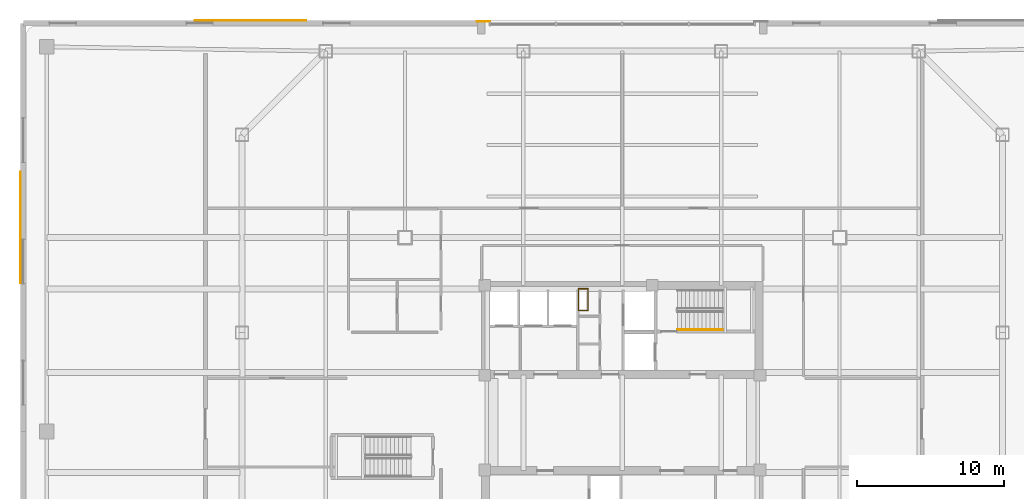
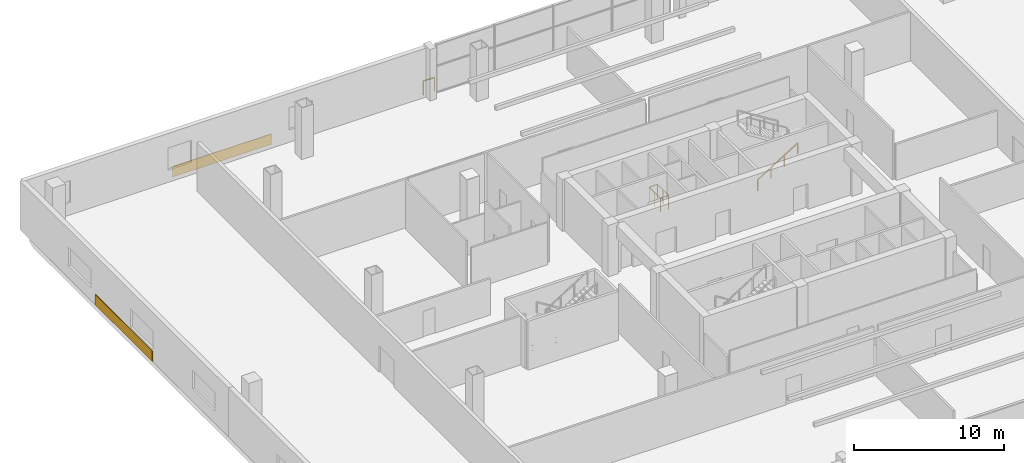
# One storey, part 19 of 21: 3 railings, 2 coverings.
"""IFC4 building model written with IfcOpenShell, lengths in metres."""

from ifc_helpers import new_model, si_unit, direction, frame, origin, origin_2d, place, context, subcontext, project, spatial, rectangle, extrude, material, layer, layer_set, type_object, element, save


model = new_model("IFC4")

# Units and contexts
model_context = context("Model", 3, precision=1e-05, world=origin(), true_north=direction((0.0, 1.0)))
body_context = subcontext(model_context, "Body", "Model", "MODEL_VIEW")
ifc_project = project(units=[si_unit("LENGTHUNIT", "METRE"), si_unit("AREAUNIT", "SQUARE_METRE"), si_unit("VOLUMEUNIT", "CUBIC_METRE"), si_unit("PLANEANGLEUNIT", "RADIAN"), si_unit("MASSUNIT", "GRAM", prefix="KILO")], contexts=[model_context])

# Site, building, storey
site_placement = place(None, origin())
site = spatial("IfcSite", under=ifc_project, at=site_placement, CompositionType="ELEMENT")
building_placement = place(site_placement, origin())
building = spatial("IfcBuilding", under=site, at=building_placement, Name="Qhalaya Broadcast Tower", CompositionType="ELEMENT")
storey_placement = place(building_placement, frame((0.0, 0.0, 21.89990234375)))
storey = spatial("IfcBuildingStorey", under=building, at=storey_placement, Name="L05", CompositionType="ELEMENT", Elevation=21.89990234375)

# Coverings
ifc_material_1 = material(Name="Fired Architectural Terracotta", Category="masonry")
ifc_layer = layer(ifc_material_1, 0.044921875, Name="Fired Architectural Terracotta")
ifc_layer_set = layer_set([ifc_layer], Name="Fired Architectural Terracotta")
covering_type = type_object("IfcCoveringType", Name="Polychrome Terracotta Rainscreen Cladding CLD-01", PredefinedType="CLADDING", material=ifc_layer_set)
for number, where, z_axis, x_axis, name in (
    (1, (-25.320068359375, 28.0, 0.025146484375), (0.0, 0.0, 1.0), (1.0, 0.0, 0.0), "L05 Terracotta Spandrel Cladding EW-NW"),
    (2, (-41.0, 13.89990234375, 0.025146484375), (0.0, 0.0, 1.0), (0.0, 1.0, 0.0), "L05 Terracotta Spandrel Cladding EW-WN"),
):
    element("IfcCovering", number, at=place(storey_placement, frame(where, z_axis=z_axis, x_axis=x_axis)), inside=storey, type_object=covering_type, Name=name, PredefinedType="CLADDING", context=body_context, shape_type="SweptSolid", body=[
        extrude(rectangle(XDim=7.60009765625, YDim=0.044921875, at=origin_2d()), origin(), (0.0, 0.0, 1.0), 0.85009765625),
    ])

# Railings
ifc_material_2 = material(Name="Powder-Coated Galvanised Steel", Category="steel")
railing_type_1 = type_object("IfcRailingType", Name="Stair Wall Handrail 900", PredefinedType="HANDRAIL", material=ifc_material_2)
railing_1_placement = place(storey_placement, frame((3.75, 6.929931640625, 0.175048828125)))
element("IfcRailing", 3, at=railing_1_placement, inside=storey, type_object=railing_type_1, Name="L05 ST-1 Stair Handrail 1", PredefinedType="HANDRAIL", context=body_context, shape_type="SweptSolid", body=[
    extrude(rectangle(XDim=0.048095703125, YDim=0.048095703125, at=origin_2d()), frame((0.0, 0.0, 0.8759765625), z_axis=(0.847998304005, 0.0, 0.529998940003), x_axis=(0.0, 1.0, 0.0)), (0.0, 0.0, 1.0), 3.632080078125),
    extrude(rectangle(XDim=0.0419921875, YDim=0.0419921875, at=origin_2d()), origin(), (0.0, 0.0, 1.0), 0.849853515625),
    extrude(rectangle(XDim=0.0419921875, YDim=0.0419921875, at=origin_2d()), frame((1.026611328125, 0.0, 0.6416015625)), (0.0, 0.0, 1.0), 0.849853515625),
    extrude(rectangle(XDim=0.0419921875, YDim=0.0419921875, at=origin_2d()), frame((2.053466796875, 0.0, 1.283447265625)), (0.0, 0.0, 1.0), 0.849853515625),
    extrude(rectangle(XDim=0.0419921875, YDim=0.0419921875, at=origin_2d()), frame((3.080078125, 0.0, 1.925048828125)), (0.0, 0.0, 1.0), 0.849853515625),
])
railing_type_2 = type_object("IfcRailingType", Name="Stair Well & Landing Guardrail 1100", PredefinedType="GUARDRAIL", material=ifc_material_2)
railing_2_placement = place(storey_placement, frame((-2.340087890625, 8.239990234375, 0.0)))
element("IfcRailing", 4, at=railing_2_placement, inside=storey, type_object=railing_type_2, Name="L05 Service Riser Opening Safety Guard NRSR", PredefinedType="GUARDRAIL", context=body_context, shape_type="SweptSolid", body=[
    extrude(rectangle(XDim=0.048095703125, YDim=0.048095703125, at=origin_2d()), frame((0.0, 0.02880859375, 1.1259765625), z_axis=(0.0, 1.0, 0.0), x_axis=(-1.0, 0.0, 0.0)), (0.0, 0.0, 1.0), 1.42236328125),
    extrude(rectangle(XDim=0.048095703125, YDim=0.048095703125, at=origin_2d()), frame((-0.02880859375, 1.47998046875, 1.1259765625), z_axis=(-1.0, 0.0, 0.0), x_axis=(0.0, -1.0, 0.0)), (0.0, 0.0, 1.0), 0.582275390625),
    extrude(rectangle(XDim=0.048095703125, YDim=0.048095703125, at=origin_2d()), frame((-0.639892578125, 1.451171875, 1.1259765625), z_axis=(0.0, -1.0, 0.0), x_axis=(1.0, 0.0, 0.0)), (0.0, 0.0, 1.0), 1.42236328125),
    extrude(rectangle(XDim=0.048095703125, YDim=0.048095703125, at=origin_2d()), frame((-0.611083984375, 0.0, 1.1259765625), z_axis=(1.0, 0.0, 0.0), x_axis=(0.0, 1.0, 0.0)), (0.0, 0.0, 1.0), 0.582275390625),
    extrude(rectangle(XDim=0.0419921875, YDim=0.0419921875, at=origin_2d()), origin(), (0.0, 0.0, 1.0), 1.099853515625),
    extrude(rectangle(XDim=0.0419921875, YDim=0.0419921875, at=origin_2d()), frame((0.0, 0.739990234375, 0.0)), (0.0, 0.0, 1.0), 1.099853515625),
    extrude(rectangle(XDim=0.0419921875, YDim=0.0419921875, at=origin_2d()), frame((0.0, 1.47998046875, 0.0)), (0.0, 0.0, 1.0), 1.099853515625),
    extrude(rectangle(XDim=0.0419921875, YDim=0.0419921875, at=origin_2d()), frame((-0.639892578125, 1.47998046875, 0.0)), (0.0, 0.0, 1.0), 1.099853515625),
    extrude(rectangle(XDim=0.0419921875, YDim=0.0419921875, at=origin_2d()), frame((-0.639892578125, 0.739990234375, 0.0)), (0.0, 0.0, 1.0), 1.099853515625),
    extrude(rectangle(XDim=0.0419921875, YDim=0.0419921875, at=origin_2d()), frame((-0.639892578125, 0.0, 0.0)), (0.0, 0.0, 1.0), 1.099853515625),
])
railing_type_3 = type_object("IfcRailingType", Name="Terrace, Sky-Pool & Lookout Glass Balustrade 1150", PredefinedType="BALUSTRADE", material=ifc_material_2)
railing_3_placement = place(storey_placement, frame((-9.8798828125, 27.919921875, 0.0)))
element("IfcRailing", 5, at=railing_3_placement, inside=storey, type_object=railing_type_3, Name="L05 Concourse Portal Shoulder Safety Balustrade PNW", PredefinedType="BALUSTRADE", context=body_context, shape_type="SweptSolid", body=[
    extrude(rectangle(XDim=0.048095703125, YDim=0.048095703125, at=origin_2d()), frame((0.0, 0.0, 1.1259765625), z_axis=(1.0, 0.0, 0.0), x_axis=(0.0, 1.0, 0.0)), (0.0, 0.0, 1.0), 0.8798828125),
    extrude(rectangle(XDim=0.0419921875, YDim=0.0419921875, at=origin_2d()), origin(), (0.0, 0.0, 1.0), 1.099853515625),
    extrude(rectangle(XDim=0.0419921875, YDim=0.0419921875, at=origin_2d()), frame((0.8798828125, 0.0, 0.0)), (0.0, 0.0, 1.0), 1.099853515625),
])

save(model, "model.ifc")
